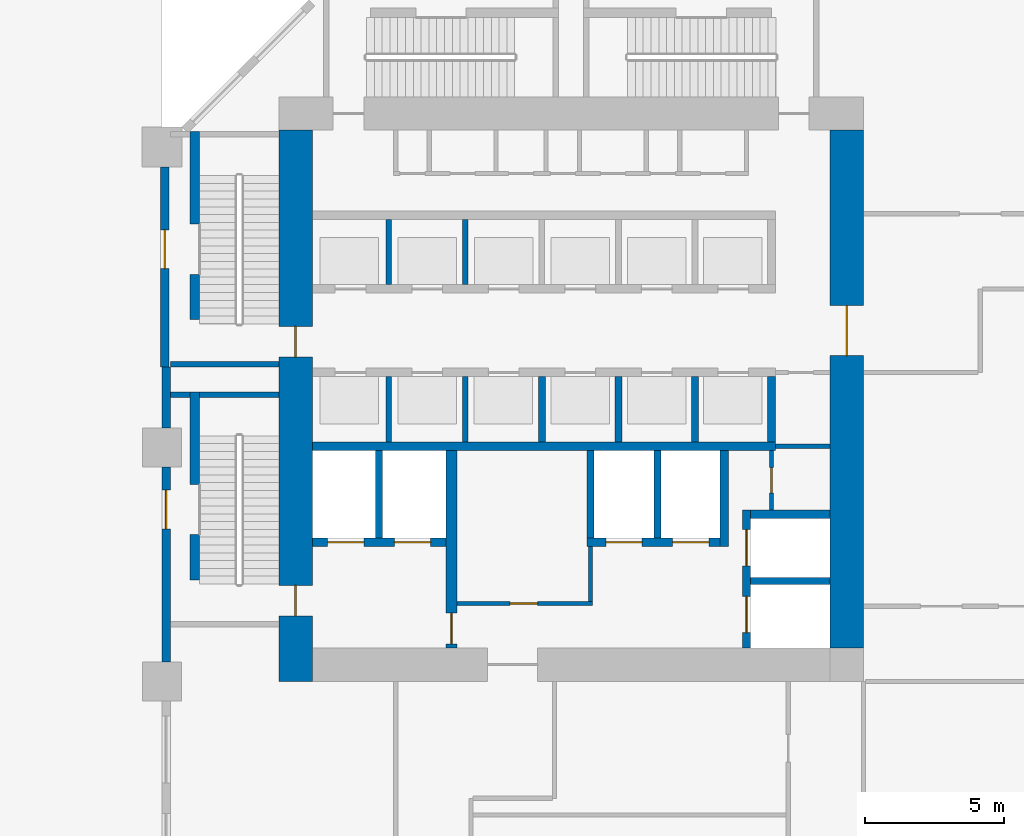
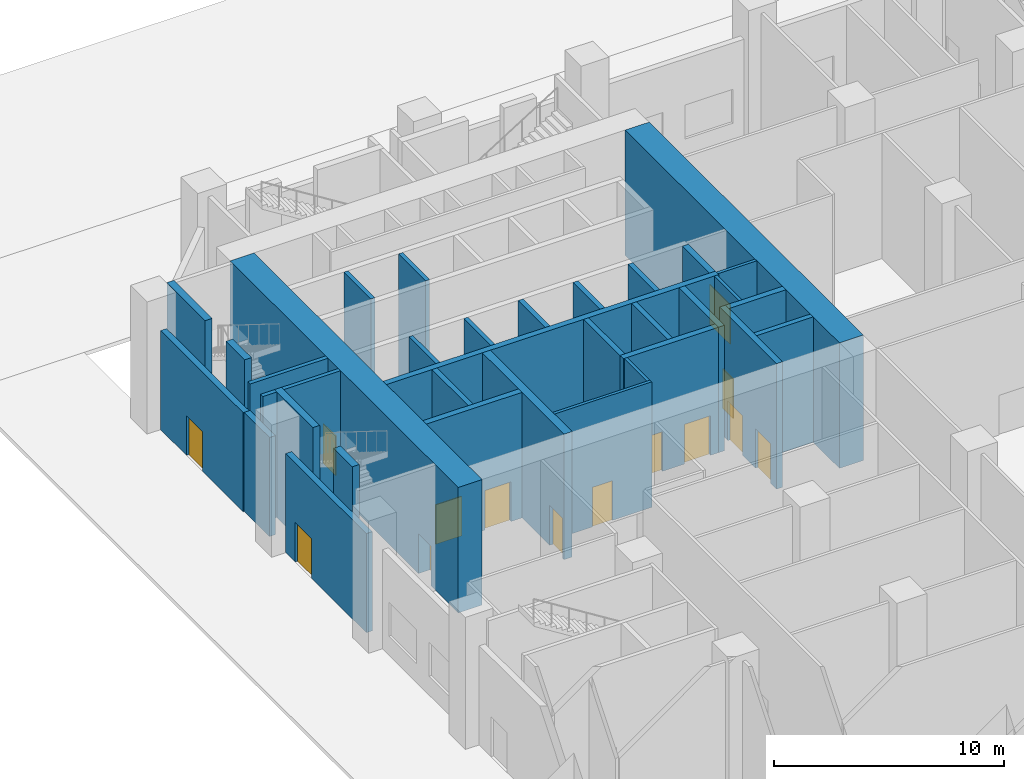
# One storey, part 18 of 32: 35 walls, 14 doors, 14 openings.
"""IFC4 building model written with IfcOpenShell, lengths in metres."""

from ifc_helpers import new_model, si_unit, direction, frame, frame_2d, origin, place, context, subcontext, project, spatial, rectangle, extrude, material, layer, layer_set, type_object, element, fill, save


model = new_model("IFC4")

# Units and contexts
model_context = context("Model", 3, precision=1e-05, world=origin(), true_north=direction((0.0, 1.0)))
body_context = subcontext(model_context, "Body", "Model", "MODEL_VIEW")
ifc_project = project(units=[si_unit("LENGTHUNIT", "METRE"), si_unit("AREAUNIT", "SQUARE_METRE"), si_unit("VOLUMEUNIT", "CUBIC_METRE"), si_unit("PLANEANGLEUNIT", "RADIAN"), si_unit("MASSUNIT", "GRAM", prefix="KILO")], contexts=[model_context])

# Site, building, storey
site_placement = place(None, origin())
site = spatial("IfcSite", under=ifc_project, at=site_placement, CompositionType="ELEMENT")
building_placement = place(site_placement, origin())
building = spatial("IfcBuilding", under=site, at=building_placement, Name="Kawkab Arch Medical Tower", CompositionType="ELEMENT")
storey_placement = place(building_placement, origin())
storey = spatial("IfcBuildingStorey", under=building, at=storey_placement, Name="L01", CompositionType="ELEMENT", Elevation=0.0)

# Wall, openings, doors
ifc_material_1 = material(Name="Concrete C60/75", Category="concrete")
ifc_layer_1 = layer(ifc_material_1, 1.199951171875)
ifc_layer_set_1 = layer_set([ifc_layer_1], Name="Concrete C60/75")
wall_type_1 = type_object("IfcWallType", Name="Core ring wall 1200 C60/75", PredefinedType="SHEAR", material=ifc_layer_set_1)
wall_1_placement = place(storey_placement, frame((4.800048828125, -25.199951171875, 0.0), z_axis=(0.0, 0.0, 1.0), x_axis=(0.0, 1.0, 0.0)))
wall_1 = element("IfcWall", 1, at=wall_1_placement, inside=storey, type_object=wall_type_1, Name="L01 core wall", PredefinedType="SHEAR", context=body_context, shape_type="SweptSolid", body=[
    extrude(rectangle(XDim=19.800048828125, YDim=1.199951171875, at=frame_2d((9.89990234375, 0.0))), origin(), (0.0, 0.0, 1.0), 6.64990234375),
])
opening_1_placement = place(wall_1_placement, frame((11.64990234375, 0.0, 0.0)))
opening_1 = element("IfcOpeningElement", 2, at=opening_1_placement, cuts=wall_1, Name="Opening SD", PredefinedType="OPENING", context=body_context, shape_type="SweptSolid", body=[
    extrude(rectangle(XDim=1.10009765625, YDim=2.10009765625, at=frame_2d((0.550048828125, 1.050048828125))), frame((0.0, 0.60986328125, 0.0), z_axis=(0.0, -1.0, 0.0), x_axis=(1.0, 0.0, 0.0)), (0.0, 0.0, 1.0), 1.219970703125),
])
opening_2_placement = place(wall_1_placement, frame((2.35009765625, 0.0, 0.0)))
opening_2 = element("IfcOpeningElement", 3, at=opening_2_placement, cuts=wall_1, Name="Opening SD", PredefinedType="OPENING", context=body_context, shape_type="SweptSolid", body=[
    extrude(rectangle(XDim=1.10009765625, YDim=2.10009765625, at=frame_2d((0.550048828125, 1.050048828125))), frame((0.0, 0.60986328125, 0.0), z_axis=(0.0, -1.0, 0.0), x_axis=(1.0, 0.0, 0.0)), (0.0, 0.0, 1.0), 1.219970703125),
])
ifc_material_2 = material(Name="Hollow metal fire door leaf")
door_type_1 = type_object("IfcDoorType", Name="Exit stair door 1100", OperationType="SINGLE_SWING_LEFT", PredefinedType="DOOR", material=ifc_material_2)
door_1_placement = place(opening_1_placement, origin())
door_1 = element("IfcDoor", 4, at=door_1_placement, inside=storey, type_object=door_type_1, Name="L01 Exit stair ST1 door", OperationType="SINGLE_SWING_LEFT", OverallHeight=2.10009765625, OverallWidth=1.10009765625, PredefinedType="DOOR", context=body_context, shape_type="SweptSolid", body=[
    extrude(rectangle(XDim=1.10009765625, YDim=2.10009765625, at=frame_2d((0.550048828125, 1.050048828125))), frame((0.0, 0.02490234375, 0.0), z_axis=(0.0, -1.0, 0.0), x_axis=(1.0, 0.0, 0.0)), (0.0, 0.0, 1.0), 0.050048828125),
])
fill(opening_1, door_1)
door_2_placement = place(opening_2_placement, origin())
door_2 = element("IfcDoor", 5, at=door_2_placement, inside=storey, type_object=door_type_1, Name="L01 Exit stair ST2 door", OperationType="SINGLE_SWING_LEFT", OverallHeight=2.10009765625, OverallWidth=1.10009765625, PredefinedType="DOOR", context=body_context, shape_type="SweptSolid", body=[
    extrude(rectangle(XDim=1.10009765625, YDim=2.10009765625, at=frame_2d((0.550048828125, 1.050048828125))), frame((0.0, 0.02490234375, 0.0), z_axis=(0.0, -1.0, 0.0), x_axis=(1.0, 0.0, 0.0)), (0.0, 0.0, 1.0), 0.050048828125),
])
fill(opening_2, door_2)

# Wall, opening, door
wall_2_placement = place(storey_placement, frame((24.60009765625, -24.0, 0.0), z_axis=(0.0, 0.0, 1.0), x_axis=(0.0, 1.0, 0.0)))
wall_2 = element("IfcWall", 6, at=wall_2_placement, inside=storey, type_object=wall_type_1, Name="L01 core wall", PredefinedType="SHEAR", context=body_context, shape_type="SweptSolid", body=[
    extrude(rectangle(XDim=18.60009765625, YDim=1.199951171875, at=frame_2d((9.300048828125, 0.0))), origin(), (0.0, 0.0, 1.0), 6.64990234375),
])
opening_3_placement = place(wall_2_placement, frame((10.5, 0.0, 0.0)))
opening_3 = element("IfcOpeningElement", 7, at=opening_3_placement, cuts=wall_2, Name="Opening PD", PredefinedType="OPENING", context=body_context, shape_type="SweptSolid", body=[
    extrude(rectangle(XDim=1.800048828125, YDim=2.10009765625, at=frame_2d((0.89990234375, 1.050048828125))), frame((0.0, 0.60986328125, 0.0), z_axis=(0.0, -1.0, 0.0), x_axis=(1.0, 0.0, 0.0)), (0.0, 0.0, 1.0), 1.219970703125),
])
ifc_material_3 = material(Name="Hollow metal fire door leaf")
door_type_2 = type_object("IfcDoorType", Name="Core entrance doors 1800", OperationType="DOUBLE_DOOR_SINGLE_SWING", PredefinedType="DOOR", material=ifc_material_3)
door_3_placement = place(opening_3_placement, origin())
door_3 = element("IfcDoor", 8, at=door_3_placement, inside=storey, type_object=door_type_2, Name="L01 East entrance doors", OperationType="DOUBLE_DOOR_SINGLE_SWING", OverallHeight=2.10009765625, OverallWidth=1.800048828125, PredefinedType="DOOR", context=body_context, shape_type="SweptSolid", body=[
    extrude(rectangle(XDim=1.800048828125, YDim=2.10009765625, at=frame_2d((0.89990234375, 1.050048828125))), frame((0.0, 0.02490234375, 0.0), z_axis=(0.0, -1.0, 0.0), x_axis=(1.0, 0.0, 0.0)), (0.0, 0.0, 1.0), 0.050048828125),
])
fill(opening_3, door_3)

ifc_material_4 = material(Name="Gypsum board on steel studs", Category="steel")
ifc_layer_2 = layer(ifc_material_4, 0.14990234375)
ifc_layer_set_2 = layer_set([ifc_layer_2], Name="Gypsum board on steel studs")
wall_type_2 = type_object("IfcWallType", Name="Core room partition 150", PredefinedType="PARTITIONING", material=ifc_layer_set_2)
wall_3_placement = place(storey_placement, frame((21.89990234375, -19.050048828125, 0.0), z_axis=(0.0, 0.0, 1.0), x_axis=(0.0, 1.0, 0.0)))
wall_3 = element("IfcWall", 9, at=wall_3_placement, inside=storey, type_object=wall_type_2, Name="L01 core room partition", PredefinedType="PARTITIONING", context=body_context, shape_type="SweptSolid", body=[
    extrude(rectangle(XDim=2.150146484375, YDim=0.14990234375, at=frame_2d((1.0751953125, 0.0))), origin(), (0.0, 0.0, 1.0), 6.64990234375),
])
opening_4_placement = place(wall_3_placement, frame((0.625, 0.0, 0.0)))
opening_4 = element("IfcOpeningElement", 10, at=opening_4_placement, cuts=wall_3, Name="Opening RD", PredefinedType="OPENING", context=body_context, shape_type="SweptSolid", body=[
    extrude(rectangle(XDim=0.89990234375, YDim=2.10009765625, at=frame_2d((0.449951171875, 1.050048828125))), frame((0.0, 0.0849609375, 0.0), z_axis=(0.0, -1.0, 0.0), x_axis=(1.0, 0.0, 0.0)), (0.0, 0.0, 1.0), 0.169921875),
])
ifc_material_5 = material(Name="Hollow metal fire door leaf")
door_type_3 = type_object("IfcDoorType", Name="Core room door 900", OperationType="SINGLE_SWING_LEFT", PredefinedType="DOOR", material=ifc_material_5)
door_4_placement = place(opening_4_placement, origin())
door_4 = element("IfcDoor", 11, at=door_4_placement, inside=storey, type_object=door_type_3, Name="L01 Accessible WC door", OperationType="SINGLE_SWING_LEFT", OverallHeight=2.10009765625, OverallWidth=0.89990234375, PredefinedType="DOOR", context=body_context, shape_type="SweptSolid", body=[
    extrude(rectangle(XDim=0.89990234375, YDim=2.10009765625, at=frame_2d((0.449951171875, 1.050048828125))), frame((0.0, 0.02490234375, 0.0), z_axis=(0.0, -1.0, 0.0), x_axis=(1.0, 0.0, 0.0)), (0.0, 0.0, 1.0), 0.050048828125),
])
fill(opening_4, door_4)

wall_4_placement = place(storey_placement, frame((10.60009765625, -22.39990234375, 0.0), z_axis=(0.0, 0.0, 1.0), x_axis=(1.0, 0.0, 0.0)))
wall_4 = element("IfcWall", 12, at=wall_4_placement, inside=storey, type_object=wall_type_2, Name="L01 core room partition", PredefinedType="PARTITIONING", context=body_context, shape_type="SweptSolid", body=[
    extrude(rectangle(XDim=4.875, YDim=0.14990234375, at=frame_2d((2.4375, 0.0))), origin(), (0.0, 0.0, 1.0), 6.64990234375),
])
opening_5_placement = place(wall_4_placement, frame((1.89990234375, 0.0, 0.0)))
opening_5 = element("IfcOpeningElement", 13, at=opening_5_placement, cuts=wall_4, Name="Opening RD2", PredefinedType="OPENING", context=body_context, shape_type="SweptSolid", body=[
    extrude(rectangle(XDim=1.0, YDim=2.10009765625, at=frame_2d((0.5, 1.050048828125))), frame((0.0, 0.0849609375, 0.0), z_axis=(0.0, -1.0, 0.0), x_axis=(1.0, 0.0, 0.0)), (0.0, 0.0, 1.0), 0.169921875),
])
ifc_material_6 = material(Name="Hollow metal fire door leaf")
door_type_4 = type_object("IfcDoorType", Name="Core room door 1000", OperationType="SINGLE_SWING_LEFT", PredefinedType="DOOR", material=ifc_material_6)
door_5_placement = place(opening_5_placement, origin())
door_5 = element("IfcDoor", 14, at=door_5_placement, inside=storey, type_object=door_type_4, Name="L01 Fire command centre door", OperationType="SINGLE_SWING_LEFT", OverallHeight=2.10009765625, OverallWidth=1.0, PredefinedType="DOOR", context=body_context, shape_type="SweptSolid", body=[
    extrude(rectangle(XDim=1.0, YDim=2.10009765625, at=frame_2d((0.5, 1.050048828125))), frame((0.0, 0.02490234375, 0.0), z_axis=(0.0, -1.0, 0.0), x_axis=(1.0, 0.0, 0.0)), (0.0, 0.0, 1.0), 0.050048828125),
])
fill(opening_5, door_5)

# Walls
wall_5_placement = place(storey_placement, frame((22.050048828125, -16.75, 0.0), z_axis=(0.0, 0.0, 1.0), x_axis=(1.0, 0.0, 0.0)))
element("IfcWall", 15, at=wall_5_placement, inside=storey, type_object=wall_type_2, Name="L01 core room partition", PredefinedType="PARTITIONING", context=body_context, shape_type="SweptSolid", body=[
    extrude(rectangle(XDim=1.949951171875, YDim=0.14990234375, at=frame_2d((0.97509765625, 0.0))), origin(), (0.0, 0.0, 1.0), 6.64990234375),
])
wall_6_placement = place(storey_placement, frame((15.39990234375, -22.324951171875, 0.0), z_axis=(0.0, 0.0, 1.0), x_axis=(0.0, 1.0, 0.0)))
element("IfcWall", 16, at=wall_6_placement, inside=storey, type_object=wall_type_2, Name="L01 core room partition", PredefinedType="PARTITIONING", context=body_context, shape_type="SweptSolid", body=[
    extrude(rectangle(XDim=1.974853515625, YDim=0.14990234375, at=frame_2d((0.9873046875, 0.0))), origin(), (0.0, 0.0, 1.0), 6.64990234375),
])
ifc_material_7 = material(Name="Concrete C60/75", Category="concrete")
ifc_layer_3 = layer(ifc_material_7, 0.25)
ifc_layer_set_3 = layer_set([ifc_layer_3], Name="Concrete C60/75")
wall_type_3 = type_object("IfcWallType", Name="Core shear wall 250 C60/75", PredefinedType="SHEAR", material=ifc_layer_set_3)
wall_7_placement = place(storey_placement, frame((21.14990234375, -21.60009765625, 0.0), z_axis=(0.0, 0.0, 1.0), x_axis=(1.0, 0.0, 0.0)))
element("IfcWall", 17, at=wall_7_placement, inside=storey, type_object=wall_type_3, Name="L01 core shear wall", PredefinedType="SHEAR", context=body_context, shape_type="SweptSolid", body=[
    extrude(rectangle(XDim=2.85009765625, YDim=0.25, at=frame_2d((1.425048828125, 0.0))), origin(), (0.0, 0.0, 1.0), 6.64990234375),
])
for number, where, z_axis, x_axis, name in (
    (18, (7.800048828125, -20.050048828125, 0.0), (0.0, 0.0, 1.0), (0.0, 1.0, 0.0), "L01 core shear wall"),
    (19, (15.39990234375, -20.050048828125, 0.0), (0.0, 0.0, 1.0), (0.0, 1.0, 0.0), "L01 core shear wall"),
    (20, (17.800048828125, -20.050048828125, 0.0), (0.0, 0.0, 1.0), (0.0, 1.0, 0.0), "L01 core shear wall"),
):
    element("IfcWall", number, at=place(storey_placement, frame(where, z_axis=z_axis, x_axis=x_axis)), inside=storey, type_object=wall_type_3, Name=name, PredefinedType="SHEAR", context=body_context, shape_type="SweptSolid", body=[
        extrude(rectangle(XDim=3.150146484375, YDim=0.25, at=frame_2d((1.5751953125, 0.0))), origin(), (0.0, 0.0, 1.0), 6.64990234375),
    ])
for number, where, z_axis, x_axis, name in (
    (21, (13.64990234375, -16.60009765625, 0.0), (0.0, 0.0, 1.0), (0.0, 1.0, 0.0), "L01 core shear wall"),
    (22, (16.39990234375, -16.60009765625, 0.0), (0.0, 0.0, 1.0), (0.0, 1.0, 0.0), "L01 core shear wall"),
    (23, (19.14990234375, -16.60009765625, 0.0), (0.0, 0.0, 1.0), (0.0, 1.0, 0.0), "L01 core shear wall"),
):
    element("IfcWall", number, at=place(storey_placement, frame(where, z_axis=z_axis, x_axis=x_axis)), inside=storey, type_object=wall_type_3, Name=name, PredefinedType="SHEAR", context=body_context, shape_type="SweptSolid", body=[
        extrude(rectangle(XDim=2.35009765625, YDim=0.25, at=frame_2d((1.175048828125, 0.0))), origin(), (0.0, 0.0, 1.0), 6.64990234375),
    ])
ifc_material_8 = material(Name="Concrete C60/75", Category="concrete")
ifc_layer_4 = layer(ifc_material_8, 0.300048828125)
ifc_layer_set_4 = layer_set([ifc_layer_4], Name="Concrete C60/75")
wall_type_4 = type_object("IfcWallType", Name="Core shear wall 300 C60/75", PredefinedType="SHEAR", material=ifc_layer_set_4)
wall_8_placement = place(storey_placement, frame((5.39990234375, -16.75, 0.0), z_axis=(0.0, 0.0, 1.0), x_axis=(1.0, 0.0, 0.0)))
element("IfcWall", 24, at=wall_8_placement, inside=storey, type_object=wall_type_4, Name="L01 core shear wall", PredefinedType="SHEAR", context=body_context, shape_type="SweptSolid", body=[
    extrude(rectangle(XDim=16.650146484375, YDim=0.300048828125, at=frame_2d((8.3251953125, 0.0))), origin(), (0.0, 0.0, 1.0), 6.64990234375),
])

# Wall, openings, doors
wall_9_placement = place(storey_placement, frame((5.39990234375, -20.199951171875, 0.0), z_axis=(0.0, 0.0, 1.0), x_axis=(1.0, 0.0, 0.0)))
wall_9 = element("IfcWall", 25, at=wall_9_placement, inside=storey, type_object=wall_type_4, Name="L01 core shear wall", PredefinedType="SHEAR", context=body_context, shape_type="SweptSolid", body=[
    extrude(rectangle(XDim=4.800048828125, YDim=0.300048828125, at=frame_2d((2.39990234375, 0.0))), origin(), (0.0, 0.0, 1.0), 6.64990234375),
])
opening_6_placement = place(wall_9_placement, frame((0.550048828125, 0.0, 0.0)))
opening_6 = element("IfcOpeningElement", 26, at=opening_6_placement, cuts=wall_9, Name="Opening LD2", PredefinedType="OPENING", context=body_context, shape_type="SweptSolid", body=[
    extrude(rectangle(XDim=1.300048828125, YDim=2.10009765625, at=frame_2d((0.64990234375, 1.050048828125))), frame((0.0, 0.159912109375, 0.0), z_axis=(0.0, -1.0, 0.0), x_axis=(1.0, 0.0, 0.0)), (0.0, 0.0, 1.0), 0.320068359375),
])
opening_7_placement = place(wall_9_placement, frame((2.949951171875, 0.0, 0.0)))
opening_7 = element("IfcOpeningElement", 27, at=opening_7_placement, cuts=wall_9, Name="Opening LD2", PredefinedType="OPENING", context=body_context, shape_type="SweptSolid", body=[
    extrude(rectangle(XDim=1.300048828125, YDim=2.10009765625, at=frame_2d((0.64990234375, 1.050048828125))), frame((0.0, 0.159912109375, 0.0), z_axis=(0.0, -1.0, 0.0), x_axis=(1.0, 0.0, 0.0)), (0.0, 0.0, 1.0), 0.320068359375),
])
ifc_material_9 = material(Name="Stainless steel lift door leaf", Category="steel")
door_type_5 = type_object("IfcDoorType", Name="Lift landing door 1300", OperationType="DOUBLE_DOOR_SLIDING", PredefinedType="DOOR", material=ifc_material_9)
door_6_placement = place(opening_6_placement, origin())
door_6 = element("IfcDoor", 28, at=door_6_placement, inside=storey, type_object=door_type_5, Name="L01 Lift landing door FL1", OperationType="DOUBLE_DOOR_SLIDING", OverallHeight=2.10009765625, OverallWidth=1.300048828125, PredefinedType="DOOR", context=body_context, shape_type="SweptSolid", body=[
    extrude(rectangle(XDim=1.300048828125, YDim=2.10009765625, at=frame_2d((0.64990234375, 1.050048828125))), frame((0.0, 0.02490234375, 0.0), z_axis=(0.0, -1.0, 0.0), x_axis=(1.0, 0.0, 0.0)), (0.0, 0.0, 1.0), 0.050048828125),
])
fill(opening_6, door_6)
door_7_placement = place(opening_7_placement, origin())
door_7 = element("IfcDoor", 29, at=door_7_placement, inside=storey, type_object=door_type_5, Name="L01 Lift landing door FL2", OperationType="DOUBLE_DOOR_SLIDING", OverallHeight=2.10009765625, OverallWidth=1.300048828125, PredefinedType="DOOR", context=body_context, shape_type="SweptSolid", body=[
    extrude(rectangle(XDim=1.300048828125, YDim=2.10009765625, at=frame_2d((0.64990234375, 1.050048828125))), frame((0.0, 0.02490234375, 0.0), z_axis=(0.0, -1.0, 0.0), x_axis=(1.0, 0.0, 0.0)), (0.0, 0.0, 1.0), 0.050048828125),
])
fill(opening_7, door_7)

wall_10_placement = place(storey_placement, frame((15.27490234375, -20.199951171875, 0.0), z_axis=(0.0, 0.0, 1.0), x_axis=(1.0, 0.0, 0.0)))
wall_10 = element("IfcWall", 30, at=wall_10_placement, inside=storey, type_object=wall_type_4, Name="L01 core shear wall", PredefinedType="SHEAR", context=body_context, shape_type="SweptSolid", body=[
    extrude(rectangle(XDim=4.775146484375, YDim=0.300048828125, at=frame_2d((2.3876953125, 0.0))), origin(), (0.0, 0.0, 1.0), 6.64990234375),
])
opening_8_placement = place(wall_10_placement, frame((0.675048828125, 0.0, 0.0)))
opening_8 = element("IfcOpeningElement", 31, at=opening_8_placement, cuts=wall_10, Name="Opening LD2", PredefinedType="OPENING", context=body_context, shape_type="SweptSolid", body=[
    extrude(rectangle(XDim=1.300048828125, YDim=2.10009765625, at=frame_2d((0.64990234375, 1.050048828125))), frame((0.0, 0.159912109375, 0.0), z_axis=(0.0, -1.0, 0.0), x_axis=(1.0, 0.0, 0.0)), (0.0, 0.0, 1.0), 0.320068359375),
])
opening_9_placement = place(wall_10_placement, frame((3.074951171875, 0.0, 0.0)))
opening_9 = element("IfcOpeningElement", 32, at=opening_9_placement, cuts=wall_10, Name="Opening LD2", PredefinedType="OPENING", context=body_context, shape_type="SweptSolid", body=[
    extrude(rectangle(XDim=1.300048828125, YDim=2.10009765625, at=frame_2d((0.64990234375, 1.050048828125))), frame((0.0, 0.159912109375, 0.0), z_axis=(0.0, -1.0, 0.0), x_axis=(1.0, 0.0, 0.0)), (0.0, 0.0, 1.0), 0.320068359375),
])
door_8_placement = place(opening_8_placement, origin())
door_8 = element("IfcDoor", 33, at=door_8_placement, inside=storey, type_object=door_type_5, Name="L01 Lift landing door BD3", OperationType="DOUBLE_DOOR_SLIDING", OverallHeight=2.10009765625, OverallWidth=1.300048828125, PredefinedType="DOOR", context=body_context, shape_type="SweptSolid", body=[
    extrude(rectangle(XDim=1.300048828125, YDim=2.10009765625, at=frame_2d((0.64990234375, 1.050048828125))), frame((0.0, 0.02490234375, 0.0), z_axis=(0.0, -1.0, 0.0), x_axis=(1.0, 0.0, 0.0)), (0.0, 0.0, 1.0), 0.050048828125),
])
fill(opening_8, door_8)
door_9_placement = place(opening_9_placement, origin())
door_9 = element("IfcDoor", 34, at=door_9_placement, inside=storey, type_object=door_type_5, Name="L01 Lift landing door BD4", OperationType="DOUBLE_DOOR_SLIDING", OverallHeight=2.10009765625, OverallWidth=1.300048828125, PredefinedType="DOOR", context=body_context, shape_type="SweptSolid", body=[
    extrude(rectangle(XDim=1.300048828125, YDim=2.10009765625, at=frame_2d((0.64990234375, 1.050048828125))), frame((0.0, 0.02490234375, 0.0), z_axis=(0.0, -1.0, 0.0), x_axis=(1.0, 0.0, 0.0)), (0.0, 0.0, 1.0), 0.050048828125),
])
fill(opening_9, door_9)

# Walls
wall_11_placement = place(storey_placement, frame((20.199951171875, -20.35009765625, 0.0), z_axis=(0.0, 0.0, 1.0), x_axis=(0.0, 1.0, 0.0)))
element("IfcWall", 35, at=wall_11_placement, inside=storey, type_object=wall_type_4, Name="L01 core shear wall", PredefinedType="SHEAR", context=body_context, shape_type="SweptSolid", body=[
    extrude(rectangle(XDim=3.4501953125, YDim=0.300048828125, at=frame_2d((1.72509765625, 0.0))), origin(), (0.0, 0.0, 1.0), 6.64990234375),
])
wall_12_placement = place(storey_placement, frame((21.89990234375, -16.60009765625, 0.0), z_axis=(0.0, 0.0, 1.0), x_axis=(0.0, 1.0, 0.0)))
element("IfcWall", 36, at=wall_12_placement, inside=storey, type_object=wall_type_4, Name="L01 core shear wall", PredefinedType="SHEAR", context=body_context, shape_type="SweptSolid", body=[
    extrude(rectangle(XDim=2.35009765625, YDim=0.300048828125, at=frame_2d((1.175048828125, 0.0))), origin(), (0.0, 0.0, 1.0), 6.64990234375),
])
wall_13_placement = place(storey_placement, frame((21.14990234375, -19.199951171875, 0.0), z_axis=(0.0, 0.0, 1.0), x_axis=(1.0, 0.0, 0.0)))
element("IfcWall", 37, at=wall_13_placement, inside=storey, type_object=wall_type_4, Name="L01 core shear wall", PredefinedType="SHEAR", context=body_context, shape_type="SweptSolid", body=[
    extrude(rectangle(XDim=2.85009765625, YDim=0.300048828125, at=frame_2d((1.425048828125, 0.0))), origin(), (0.0, 0.0, 1.0), 6.64990234375),
])

# Wall, openings, doors
wall_14_placement = place(storey_placement, frame((21.0, -24.0, 0.0), z_axis=(0.0, 0.0, 1.0), x_axis=(0.0, 1.0, 0.0)))
wall_14 = element("IfcWall", 38, at=wall_14_placement, inside=storey, type_object=wall_type_4, Name="L01 core shear wall", PredefinedType="SHEAR", context=body_context, shape_type="SweptSolid", body=[
    extrude(rectangle(XDim=4.949951171875, YDim=0.300048828125, at=frame_2d((2.47509765625, 0.0))), origin(), (0.0, 0.0, 1.0), 6.64990234375),
])
opening_10_placement = place(wall_14_placement, frame((2.949951171875, 0.0, 0.0)))
opening_10 = element("IfcOpeningElement", 39, at=opening_10_placement, cuts=wall_14, Name="Opening LD2", PredefinedType="OPENING", context=body_context, shape_type="SweptSolid", body=[
    extrude(rectangle(XDim=1.300048828125, YDim=2.10009765625, at=frame_2d((0.64990234375, 1.050048828125))), frame((0.0, 0.159912109375, 0.0), z_axis=(0.0, -1.0, 0.0), x_axis=(1.0, 0.0, 0.0)), (0.0, 0.0, 1.0), 0.320068359375),
])
opening_11_placement = place(wall_14_placement, frame((0.550048828125, 0.0, 0.0)))
opening_11 = element("IfcOpeningElement", 40, at=opening_11_placement, cuts=wall_14, Name="Opening LD2", PredefinedType="OPENING", context=body_context, shape_type="SweptSolid", body=[
    extrude(rectangle(XDim=1.300048828125, YDim=2.10009765625, at=frame_2d((0.64990234375, 1.050048828125))), frame((0.0, 0.159912109375, 0.0), z_axis=(0.0, -1.0, 0.0), x_axis=(1.0, 0.0, 0.0)), (0.0, 0.0, 1.0), 0.320068359375),
])
door_10_placement = place(opening_10_placement, origin())
door_10 = element("IfcDoor", 41, at=door_10_placement, inside=storey, type_object=door_type_5, Name="L01 Lift landing door BD1", OperationType="DOUBLE_DOOR_SLIDING", OverallHeight=2.10009765625, OverallWidth=1.300048828125, PredefinedType="DOOR", context=body_context, shape_type="SweptSolid", body=[
    extrude(rectangle(XDim=1.300048828125, YDim=2.10009765625, at=frame_2d((0.64990234375, 1.050048828125))), frame((0.0, 0.02490234375, 0.0), z_axis=(0.0, -1.0, 0.0), x_axis=(1.0, 0.0, 0.0)), (0.0, 0.0, 1.0), 0.050048828125),
])
fill(opening_10, door_10)
door_11_placement = place(opening_11_placement, origin())
door_11 = element("IfcDoor", 42, at=door_11_placement, inside=storey, type_object=door_type_5, Name="L01 Lift landing door BD2", OperationType="DOUBLE_DOOR_SLIDING", OverallHeight=2.10009765625, OverallWidth=1.300048828125, PredefinedType="DOOR", context=body_context, shape_type="SweptSolid", body=[
    extrude(rectangle(XDim=1.300048828125, YDim=2.10009765625, at=frame_2d((0.64990234375, 1.050048828125))), frame((0.0, 0.02490234375, 0.0), z_axis=(0.0, -1.0, 0.0), x_axis=(1.0, 0.0, 0.0)), (0.0, 0.0, 1.0), 0.050048828125),
])
fill(opening_11, door_11)

# Wall, opening, door
ifc_material_10 = material(Name="Concrete C60/75", Category="concrete")
ifc_layer_5 = layer(ifc_material_10, 0.39990234375)
ifc_layer_set_5 = layer_set([ifc_layer_5], Name="Concrete C60/75")
wall_type_5 = type_object("IfcWallType", Name="Core shear wall 400 C60/75", PredefinedType="SHEAR", material=ifc_layer_set_5)
wall_15_placement = place(storey_placement, frame((10.39990234375, -24.0, 0.0), z_axis=(0.0, 0.0, 1.0), x_axis=(0.0, 1.0, 0.0)))
wall_15 = element("IfcWall", 43, at=wall_15_placement, inside=storey, type_object=wall_type_5, Name="L01 core shear wall", PredefinedType="SHEAR", context=body_context, shape_type="SweptSolid", body=[
    extrude(rectangle(XDim=7.10009765625, YDim=0.39990234375, at=frame_2d((3.550048828125, 0.0))), origin(), (0.0, 0.0, 1.0), 6.64990234375),
])
opening_12_placement = place(wall_15_placement, frame((0.14990234375, 0.0, 0.0)))
opening_12 = element("IfcOpeningElement", 44, at=opening_12_placement, cuts=wall_15, Name="Opening FD", PredefinedType="OPENING", context=body_context, shape_type="SweptSolid", body=[
    extrude(rectangle(XDim=1.10009765625, YDim=2.10009765625, at=frame_2d((0.550048828125, 1.050048828125))), frame((0.0, 0.2099609375, 0.0), z_axis=(0.0, -1.0, 0.0), x_axis=(1.0, 0.0, 0.0)), (0.0, 0.0, 1.0), 0.419921875),
])
ifc_material_11 = material(Name="Hollow metal fire door leaf")
door_type_6 = type_object("IfcDoorType", Name="Firefighting lobby door 1100", OperationType="SINGLE_SWING_LEFT", PredefinedType="DOOR", material=ifc_material_11)
door_12_placement = place(opening_12_placement, origin())
door_12 = element("IfcDoor", 45, at=door_12_placement, inside=storey, type_object=door_type_6, Name="L01 Firefighting lobby door", OperationType="SINGLE_SWING_LEFT", OverallHeight=2.10009765625, OverallWidth=1.10009765625, PredefinedType="DOOR", context=body_context, shape_type="SweptSolid", body=[
    extrude(rectangle(XDim=1.10009765625, YDim=2.10009765625, at=frame_2d((0.550048828125, 1.050048828125))), frame((0.0, 0.02490234375, 0.0), z_axis=(0.0, -1.0, 0.0), x_axis=(1.0, 0.0, 0.0)), (0.0, 0.0, 1.0), 0.050048828125),
])
fill(opening_12, door_12)

# Walls
ifc_material_12 = material(Name="Dense concrete blockwork", Category="masonry")
ifc_layer_6 = layer(ifc_material_12, 0.199951171875)
ifc_layer_set_6 = layer_set([ifc_layer_6], Name="Dense concrete blockwork")
wall_type_6 = type_object("IfcWallType", Name="Lift shaft partition 200", PredefinedType="PARTITIONING", material=ifc_layer_set_6)
for number, where, z_axis, x_axis, name in (
    (46, (8.14990234375, -10.949951171875, 0.0), (0.0, 0.0, 1.0), (0.0, 1.0, 0.0), "L01 lift shaft partition"),
    (47, (10.89990234375, -10.949951171875, 0.0), (0.0, 0.0, 1.0), (0.0, 1.0, 0.0), "L01 lift shaft partition"),
):
    element("IfcWall", number, at=place(storey_placement, frame(where, z_axis=z_axis, x_axis=x_axis)), inside=storey, type_object=wall_type_6, Name=name, PredefinedType="PARTITIONING", context=body_context, shape_type="SweptSolid", body=[
        extrude(rectangle(XDim=2.349853515625, YDim=0.199951171875, at=frame_2d((1.1748046875, 0.0))), origin(), (0.0, 0.0, 1.0), 6.64990234375),
    ])
for number, where, z_axis, x_axis, name in (
    (48, (8.14990234375, -16.60009765625, 0.0), (0.0, 0.0, 1.0), (0.0, 1.0, 0.0), "L01 lift shaft partition"),
    (49, (10.89990234375, -16.60009765625, 0.0), (0.0, 0.0, 1.0), (0.0, 1.0, 0.0), "L01 lift shaft partition"),
):
    element("IfcWall", number, at=place(storey_placement, frame(where, z_axis=z_axis, x_axis=x_axis)), inside=storey, type_object=wall_type_6, Name=name, PredefinedType="PARTITIONING", context=body_context, shape_type="SweptSolid", body=[
        extrude(rectangle(XDim=2.35009765625, YDim=0.199951171875, at=frame_2d((1.175048828125, 0.0))), origin(), (0.0, 0.0, 1.0), 6.64990234375),
    ])

# Wall, opening, door
ifc_material_13 = material(Name="Bronze clad insulated wall panel")
ifc_layer_7 = layer(ifc_material_13, 0.300048828125)
ifc_layer_set_7 = layer_set([ifc_layer_7], Name="Bronze clad insulated wall panel")
wall_type_7 = type_object("IfcWallType", Name="Podium external wall 300", PredefinedType="SOLIDWALL", material=ifc_layer_set_7)
wall_16_placement = place(storey_placement, frame((0.10009765625, -6.72509765625, 0.0), z_axis=(0.0, 0.0, 1.0), x_axis=(0.0, -1.0, 0.0)))
wall_16 = element("IfcWall", 50, at=wall_16_placement, inside=storey, type_object=wall_type_7, Name="External wall L01 R09.1", PredefinedType="SOLIDWALL", context=body_context, shape_type="SweptSolid", body=[
    extrude(rectangle(XDim=7.1748046875, YDim=0.300048828125, at=frame_2d((3.58740234375, 0.0))), origin(), (0.0, 0.0, 1.0), 5.25),
])
opening_13_placement = place(wall_16_placement, frame((2.25, 0.0, 0.0)))
opening_13 = element("IfcOpeningElement", 51, at=opening_13_placement, cuts=wall_16, Name="Opening P01-507", PredefinedType="OPENING", context=body_context, shape_type="SweptSolid", body=[
    extrude(rectangle(XDim=1.39990234375, YDim=2.10009765625, at=frame_2d((0.699951171875, 1.050048828125))), frame((0.0, 0.159912109375, 0.0), z_axis=(0.0, -1.0, 0.0), x_axis=(1.0, 0.0, 0.0)), (0.0, 0.0, 1.0), 0.320068359375),
])
ifc_material_14 = material(Name="Insulated steel door", Category="steel")
door_type_7 = type_object("IfcDoorType", Name="Stair discharge door 1400 x 2100", OperationType="DOUBLE_DOOR_SINGLE_SWING", PredefinedType="DOOR", material=ifc_material_14)
door_13_placement = place(opening_13_placement, frame((1.39990234375, 0.0, 0.0), z_axis=(0.0, 0.0, 1.0), x_axis=(-1.0, 0.0, 0.0)))
door_13 = element("IfcDoor", 52, at=door_13_placement, inside=storey, type_object=door_type_7, Name="Exit stair ST1 discharge", OperationType="DOUBLE_DOOR_SINGLE_SWING", OverallHeight=2.10009765625, OverallWidth=1.39990234375, PredefinedType="DOOR", context=body_context, shape_type="SweptSolid", body=[
    extrude(rectangle(XDim=1.39990234375, YDim=2.10009765625, at=frame_2d((0.699951171875, 1.050048828125))), frame((0.0, 0.02490234375, 0.0), z_axis=(0.0, -1.0, 0.0), x_axis=(1.0, 0.0, 0.0)), (0.0, 0.0, 1.0), 0.050048828125),
])
fill(opening_13, door_13)

# Wall
wall_17_placement = place(storey_placement, frame((0.14990234375, -13.89990234375, 0.0), z_axis=(0.0, 0.0, 1.0), x_axis=(0.0, -1.0, 0.0)))
element("IfcWall", 53, at=wall_17_placement, inside=storey, type_object=wall_type_7, Name="External wall L01 R11.1", PredefinedType="SOLIDWALL", context=body_context, shape_type="SweptSolid", body=[
    extrude(rectangle(XDim=2.2001953125, YDim=0.300048828125, at=frame_2d((1.10009765625, 0.0))), origin(), (0.0, 0.0, 1.0), 5.25),
])

# Wall, opening, door
wall_18_placement = place(storey_placement, frame((0.14990234375, -17.5, 0.0), z_axis=(0.0, 0.0, 1.0), x_axis=(0.0, -1.0, 0.0)))
wall_18 = element("IfcWall", 54, at=wall_18_placement, inside=storey, type_object=wall_type_7, Name="External wall L01 R11.2", PredefinedType="SOLIDWALL", context=body_context, shape_type="SweptSolid", body=[
    extrude(rectangle(XDim=7.0, YDim=0.300048828125, at=frame_2d((3.5, 0.0))), origin(), (0.0, 0.0, 1.0), 5.25),
])
opening_14_placement = place(wall_18_placement, frame((0.824951171875, 0.0, 0.0)))
opening_14 = element("IfcOpeningElement", 55, at=opening_14_placement, cuts=wall_18, Name="Opening P01-508", PredefinedType="OPENING", context=body_context, shape_type="SweptSolid", body=[
    extrude(rectangle(XDim=1.39990234375, YDim=2.10009765625, at=frame_2d((0.699951171875, 1.050048828125))), frame((0.0, 0.159912109375, 0.0), z_axis=(0.0, -1.0, 0.0), x_axis=(1.0, 0.0, 0.0)), (0.0, 0.0, 1.0), 0.320068359375),
])
door_14_placement = place(opening_14_placement, frame((1.39990234375, 0.0, 0.0), z_axis=(0.0, 0.0, 1.0), x_axis=(-1.0, 0.0, 0.0)))
door_14 = element("IfcDoor", 56, at=door_14_placement, inside=storey, type_object=door_type_7, Name="Exit stair ST2 discharge", OperationType="DOUBLE_DOOR_SINGLE_SWING", OverallHeight=2.10009765625, OverallWidth=1.39990234375, PredefinedType="DOOR", context=body_context, shape_type="SweptSolid", body=[
    extrude(rectangle(XDim=1.39990234375, YDim=2.10009765625, at=frame_2d((0.699951171875, 1.050048828125))), frame((0.0, 0.02490234375, 0.0), z_axis=(0.0, -1.0, 0.0), x_axis=(1.0, 0.0, 0.0)), (0.0, 0.0, 1.0), 0.050048828125),
])
fill(opening_14, door_14)

# Walls
ifc_material_15 = material(Name="Concrete C50/60", Category="concrete")
ifc_layer_8 = layer(ifc_material_15, 0.199951171875)
ifc_layer_set_8 = layer_set([ifc_layer_8], Name="Concrete C50/60")
wall_type_8 = type_object("IfcWallType", Name="Stair enclosure wall 200 C50/60", PredefinedType="SHEAR", material=ifc_layer_set_8)
wall_19_placement = place(storey_placement, frame((0.300048828125, -13.800048828125, 0.0), z_axis=(0.0, 0.0, 1.0), x_axis=(1.0, 0.0, 0.0)))
element("IfcWall", 57, at=wall_19_placement, inside=storey, type_object=wall_type_8, Name="L01 stair enclosure wall", PredefinedType="SHEAR", context=body_context, shape_type="SweptSolid", body=[
    extrude(rectangle(XDim=3.89990234375, YDim=0.199951171875, at=frame_2d((1.949951171875, 0.0))), origin(), (0.0, 0.0, 1.0), 6.64990234375),
])
wall_20_placement = place(storey_placement, frame((0.300048828125, -14.89990234375, 0.0), z_axis=(0.0, 0.0, 1.0), x_axis=(1.0, 0.0, 0.0)))
element("IfcWall", 58, at=wall_20_placement, inside=storey, type_object=wall_type_8, Name="L01 stair enclosure wall", PredefinedType="SHEAR", context=body_context, shape_type="SweptSolid", body=[
    extrude(rectangle(XDim=0.699951171875, YDim=0.199951171875, at=frame_2d((0.35009765625, 0.0))), origin(), (0.0, 0.0, 1.0), 6.64990234375),
])
wall_21_placement = place(storey_placement, frame((1.35009765625, -14.89990234375, 0.0), z_axis=(0.0, 0.0, 1.0), x_axis=(1.0, 0.0, 0.0)))
element("IfcWall", 59, at=wall_21_placement, inside=storey, type_object=wall_type_8, Name="L01 stair enclosure wall", PredefinedType="SHEAR", context=body_context, shape_type="SweptSolid", body=[
    extrude(rectangle(XDim=2.849853515625, YDim=0.199951171875, at=frame_2d((1.4248046875, 0.0))), origin(), (0.0, 0.0, 1.0), 6.64990234375),
])
ifc_material_16 = material(Name="Concrete C50/60", Category="concrete")
ifc_layer_9 = layer(ifc_material_16, 0.35009765625)
ifc_layer_set_9 = layer_set([ifc_layer_9], Name="Concrete C50/60")
wall_type_9 = type_object("IfcWallType", Name="Stair enclosure wall 350 C50/60", PredefinedType="SHEAR", material=ifc_layer_set_9)
wall_22_placement = place(storey_placement, frame((1.175048828125, -8.77490234375, 0.0), z_axis=(0.0, 0.0, 1.0), x_axis=(0.0, 1.0, 0.0)))
element("IfcWall", 60, at=wall_22_placement, inside=storey, type_object=wall_type_9, Name="L01 stair enclosure wall", PredefinedType="SHEAR", context=body_context, shape_type="SweptSolid", body=[
    extrude(rectangle(XDim=3.324951171875, YDim=0.35009765625, at=frame_2d((1.66259765625, 0.0))), origin(), (0.0, 0.0, 1.0), 6.64990234375),
])
wall_23_placement = place(storey_placement, frame((1.175048828125, -12.199951171875, 0.0), z_axis=(0.0, 0.0, 1.0), x_axis=(0.0, 1.0, 0.0)))
element("IfcWall", 61, at=wall_23_placement, inside=storey, type_object=wall_type_9, Name="L01 stair enclosure wall", PredefinedType="SHEAR", context=body_context, shape_type="SweptSolid", body=[
    extrude(rectangle(XDim=1.625, YDim=0.35009765625, at=frame_2d((0.8125, 0.0))), origin(), (0.0, 0.0, 1.0), 6.64990234375),
])
wall_24_placement = place(storey_placement, frame((1.175048828125, -18.125, 0.0), z_axis=(0.0, 0.0, 1.0), x_axis=(0.0, 1.0, 0.0)))
element("IfcWall", 62, at=wall_24_placement, inside=storey, type_object=wall_type_9, Name="L01 stair enclosure wall", PredefinedType="SHEAR", context=body_context, shape_type="SweptSolid", body=[
    extrude(rectangle(XDim=3.324951171875, YDim=0.35009765625, at=frame_2d((1.66259765625, 0.0))), origin(), (0.0, 0.0, 1.0), 6.64990234375),
])
wall_25_placement = place(storey_placement, frame((1.175048828125, -21.550048828125, 0.0), z_axis=(0.0, 0.0, 1.0), x_axis=(0.0, 1.0, 0.0)))
element("IfcWall", 63, at=wall_25_placement, inside=storey, type_object=wall_type_9, Name="L01 stair enclosure wall", PredefinedType="SHEAR", context=body_context, shape_type="SweptSolid", body=[
    extrude(rectangle(XDim=1.625, YDim=0.35009765625, at=frame_2d((0.8125, 0.0))), origin(), (0.0, 0.0, 1.0), 6.64990234375),
])

save(model, "model.ifc")
